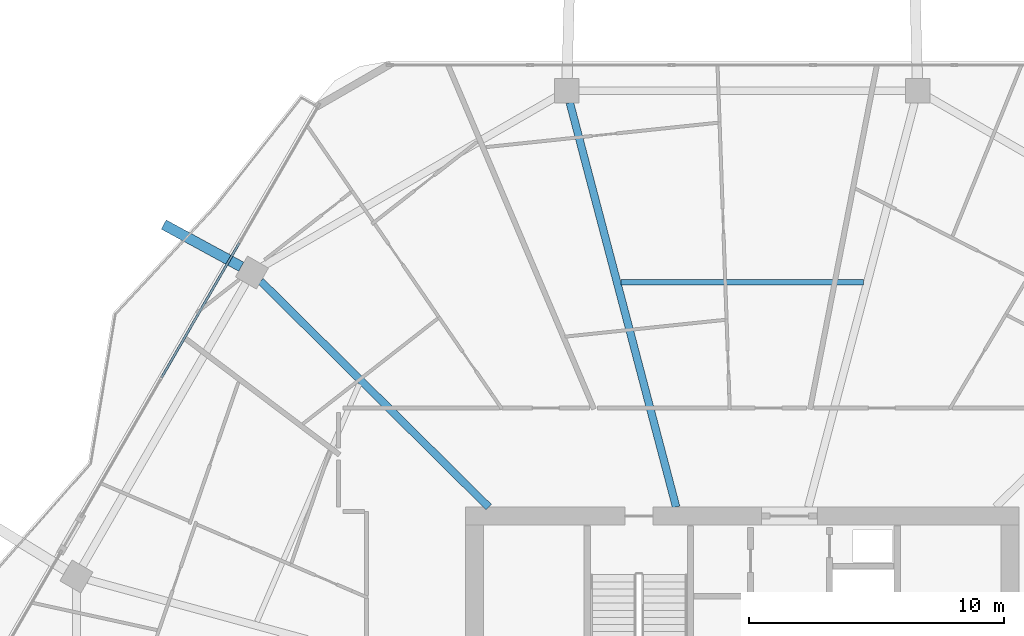
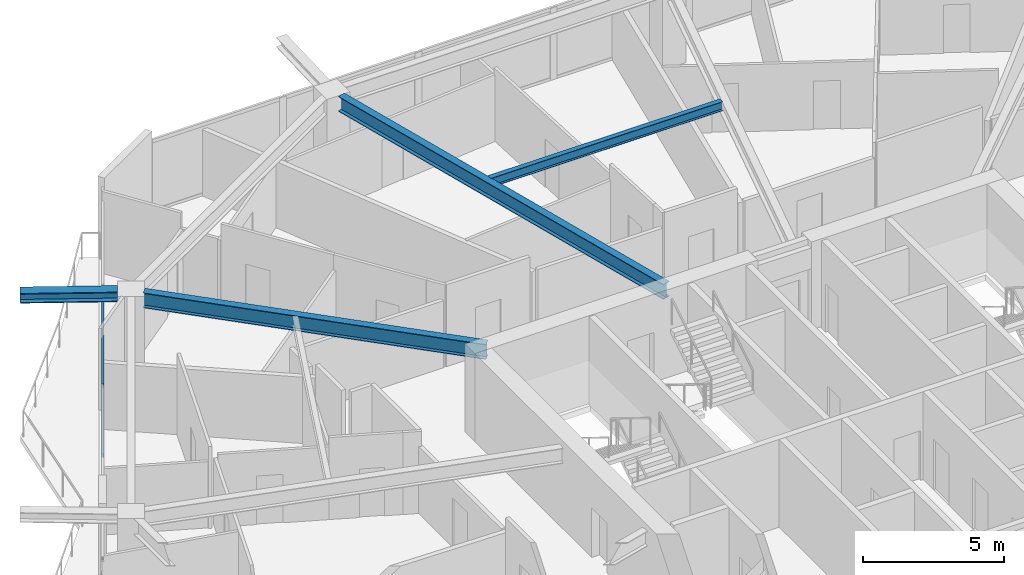
# One storey, part 11 of 26: 4 beams, 2 members, 1 element without a shape of its own.
"""IFC4 building model written with IfcOpenShell, lengths in metres."""

from ifc_helpers import new_model, si_unit, direction, frame, origin, origin_2d, place, context, subcontext, project, spatial, hollow_rectangle, i_section, extrude, material, material_profile, profile_set, type_object, element, aggregate, save


model = new_model("IFC4")

# Units and contexts
model_context = context("Model", 3, precision=1e-05, world=origin(), true_north=direction((0.0, 1.0)))
body_context = subcontext(model_context, "Body", "Model", "MODEL_VIEW")
ifc_project = project(units=[si_unit("LENGTHUNIT", "METRE"), si_unit("AREAUNIT", "SQUARE_METRE"), si_unit("VOLUMEUNIT", "CUBIC_METRE"), si_unit("PLANEANGLEUNIT", "RADIAN"), si_unit("MASSUNIT", "GRAM", prefix="KILO")], contexts=[model_context])

# Site, building, storey
site_placement = place(None, origin())
site = spatial("IfcSite", under=ifc_project, at=site_placement, CompositionType="ELEMENT")
building_placement = place(site_placement, origin())
building = spatial("IfcBuilding", under=site, at=building_placement, Name="Zuhravey Tower", CompositionType="ELEMENT")
storey_placement = place(building_placement, frame((0.0, 0.0, 211.199951171875)))
storey = spatial("IfcBuildingStorey", under=building, at=storey_placement, Name="L53", CompositionType="ELEMENT", Elevation=211.199951171875)

# Curtain wall, members
ifc_material_1 = material(Name="Thermally broken anodised aluminium", Category="aluminium")
curtain_wall_type = type_object("IfcCurtainWallType", Name="Zone 1-2 Residential Curtain Wall CW3", PredefinedType="NOTDEFINED", material=ifc_material_1)
curtain_wall_placement = place(storey_placement, origin())
curtain_wall = element("IfcCurtainWall", 1, at=curtain_wall_placement, inside=storey, type_object=curtain_wall_type, Name="L53 CW3 CW-L53-F3-2", PredefinedType="NOTDEFINED")
ifc_material_2 = material(Name="Anodised aluminium", Category="aluminium")
ifc_material_profile_1 = material_profile(ifc_material_2, hollow_rectangle(XDim=0.090087890625, YDim=0.14990234375, WallThickness=0.0048828125, at=origin_2d()), Name="ALU-RHS-90x150x5")
ifc_profile_set_1 = profile_set([ifc_material_profile_1], Name="Anodised aluminium")
member_type = type_object("IfcMemberType", Name="Curtain-Wall Transom 90x150", PredefinedType="USERDEFINED", material=ifc_profile_set_1)
member_1_placement = place(storey_placement, frame((13.230224609375, 46.927734375, 0.045166015625), z_axis=(0.500018497585, 0.866014723935, 0.0), x_axis=(-0.866014723935, 0.500018497585, 0.0)))
member_1 = element("IfcMember", 2, at=member_1_placement, type_object=member_type, Name="CW3 transom 2.1", ObjectType="TRANSOM", PredefinedType="USERDEFINED", context=body_context, shape_type="SweptSolid", body=[
    extrude(hollow_rectangle(XDim=0.090087890625, YDim=0.14990234375, WallThickness=0.0048828125, at=origin_2d()), origin(), (0.0, 0.0, 1.0), 6.091552734375),
])
member_2_placement = place(storey_placement, frame((13.230224609375, 46.927734375, 3.0771484375), z_axis=(0.500018497585, 0.866014723935, 0.0), x_axis=(-0.866014723935, 0.500018497585, 0.0)))
member_2 = element("IfcMember", 3, at=member_2_placement, type_object=member_type, Name="CW3 transom 2.2", ObjectType="TRANSOM", PredefinedType="USERDEFINED", context=body_context, shape_type="SweptSolid", body=[
    extrude(hollow_rectangle(XDim=0.090087890625, YDim=0.14990234375, WallThickness=0.0048828125, at=origin_2d()), origin(), (0.0, 0.0, 1.0), 6.091552734375),
])
aggregate(curtain_wall, [member_1, member_2])

# Beams
ifc_material_3 = material(Name="Steel SM460", Category="steel")
ifc_material_profile_2 = material_profile(ifc_material_3, i_section(OverallWidth=0.406982421875, OverallDepth=0.427978515625, WebThickness=0.02001953125, FlangeThickness=0.034912109375, at=origin_2d()), Name="H-428x407x20x35")
ifc_profile_set_2 = profile_set([ifc_material_profile_2], Name="Steel SM460")
beam_type_1 = type_object("IfcBeamType", Name="Exoskeleton Node Tie Beam H428x407", PredefinedType="BEAM", material=ifc_profile_set_2)
beam_1_placement = place(storey_placement, frame((16.353515625, 51.275390625, 3.3359375), z_axis=(-0.878547852506, 0.477654342445, 0.0), x_axis=(-0.477654342445, -0.878547852506, 0.0)))
element("IfcBeam", 4, at=beam_1_placement, inside=storey, type_object=beam_type_1, Name="L53 Exoskeleton Node Tie NT1-05", PredefinedType="BEAM", context=body_context, shape_type="SweptSolid", body=[
    extrude(i_section(OverallWidth=0.406982421875, OverallDepth=0.427978515625, WebThickness=0.02001953125, FlangeThickness=0.034912109375, at=origin_2d()), origin(), (0.0, 0.0, 1.0), 3.457275390625),
])
ifc_material_4 = material(Name="Steel SM355", Category="steel")
ifc_material_profile_3 = material_profile(ifc_material_4, i_section(OverallWidth=0.300048828125, OverallDepth=0.64990234375, WebThickness=0.012939453125, FlangeThickness=0.02197265625, at=origin_2d()), Name="H-650x300x13x22")
ifc_profile_set_3 = profile_set([ifc_material_profile_3], Name="Steel SM355")
beam_type_2 = type_object("IfcBeamType", Name="Radial Primary Girder H650x300", PredefinedType="BEAM", material=ifc_profile_set_3)
beam_2_placement = place(storey_placement, frame((33.4091796875, 41.85302734375, 3.22509765625), z_axis=(-0.254299806285, 0.967125435775, 0.0), x_axis=(-0.967125435775, -0.254299806285, 0.0)))
element("IfcBeam", 5, at=beam_2_placement, inside=storey, type_object=beam_type_2, Name="L53 RG2 BM-L53-RAD-04", PredefinedType="BEAM", context=body_context, shape_type="SweptSolid", body=[
    extrude(i_section(OverallWidth=0.300048828125, OverallDepth=0.64990234375, WebThickness=0.012939453125, FlangeThickness=0.02197265625, at=origin_2d()), origin(), (0.0, 0.0, 1.0), 16.396728515625),
])
beam_3_placement = place(storey_placement, frame((26.054443359375, 41.85302734375, 3.22509765625), z_axis=(-0.710406645816, 0.703791444663, 0.0), x_axis=(-0.703791444663, -0.710406645816, 0.0)))
element("IfcBeam", 6, at=beam_3_placement, inside=storey, type_object=beam_type_2, Name="L53 RG2 BM-L53-RAD-05", PredefinedType="BEAM", context=body_context, shape_type="SweptSolid", body=[
    extrude(i_section(OverallWidth=0.300048828125, OverallDepth=0.64990234375, WebThickness=0.012939453125, FlangeThickness=0.02197265625, at=origin_2d()), origin(), (0.0, 0.0, 1.0), 12.5849609375),
])
ifc_material_profile_4 = material_profile(ifc_material_4, i_section(OverallWidth=0.199951171875, OverallDepth=0.39990234375, WebThickness=0.008056640625, FlangeThickness=0.012939453125, at=origin_2d()), Name="H-400x200x8x13")
ifc_profile_set_4 = profile_set([ifc_material_profile_4], Name="Steel SM355")
beam_type_3 = type_object("IfcBeamType", Name="Secondary Floor Joist H400x200", PredefinedType="JOIST", material=ifc_profile_set_4)
beam_4_placement = place(storey_placement, frame((40.754150390625, 50.665771484375, 3.35009765625), z_axis=(-1.0, 0.0, 0.0), x_axis=(0.0, -1.0, 0.0)))
element("IfcBeam", 7, at=beam_4_placement, inside=storey, type_object=beam_type_3, Name="L53 SJ2 BM-L53-SJ-03-1", PredefinedType="JOIST", context=body_context, shape_type="SweptSolid", body=[
    extrude(i_section(OverallWidth=0.199951171875, OverallDepth=0.39990234375, WebThickness=0.008056640625, FlangeThickness=0.012939453125, at=origin_2d()), origin(), (0.0, 0.0, 1.0), 9.50830078125),
])

save(model, "model.ifc")
